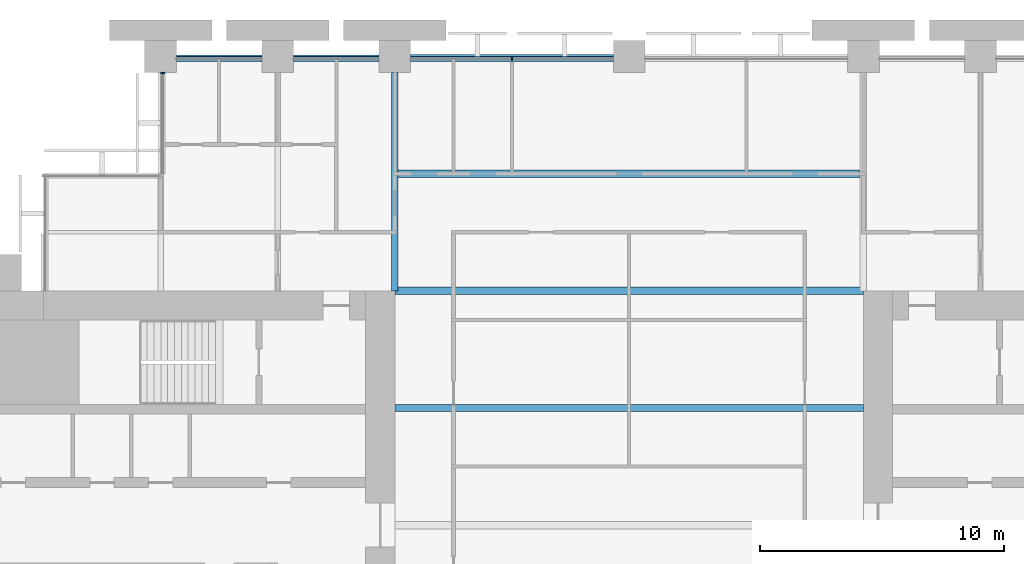
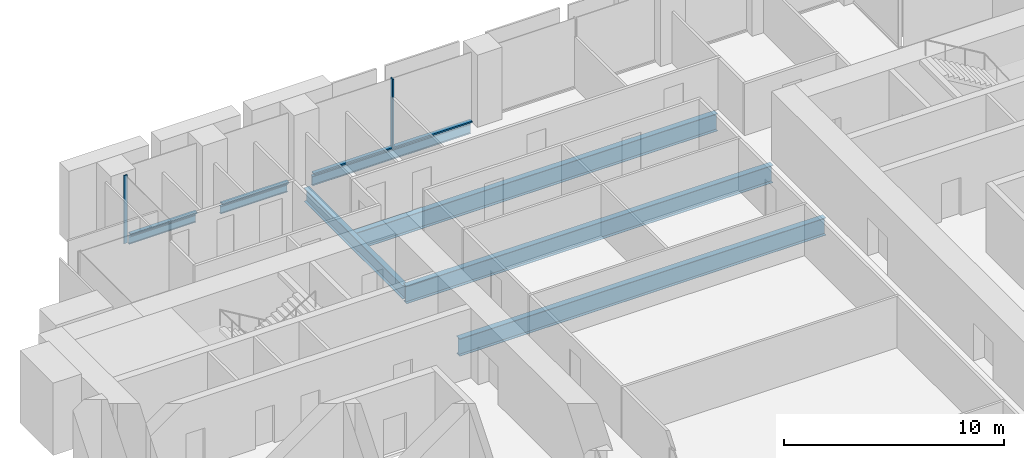
# One storey, part 6 of 14: 7 beams, 5 members, 2 elements without a shape of their own.
"""IFC4 building model written with IfcOpenShell, lengths in metres."""

import ifcopenshell
import ifcopenshell.guid

model = None  # the IFC model being written
_history = None  # IfcOwnerHistory: only IFC2X3 demands one
_inside = {}  # id of a spatial element -> (the spatial element, [elements in it])
_under = {}  # id of a project, library or spatial element -> (it, [spatial elements below it])
_declared = {}  # id of a project -> (the project, [libraries it declares])
_typed = {}  # id of a type object -> (the type object, [elements of that type])
_made_of = {}  # id of a material, layer set ... -> (it, [elements and type objects made of it])


def new_model(schema):
    """Start an empty IFC model of exactly this schema.

    Asked for "IFC4X3", IfcOpenShell would pick the latest addendum, in which some entities
    have other attributes; the version numbers below select the first issue.
    IFC2X3 requires an IfcOwnerHistory on every rooted entity: one is made here for all.
    """
    global model, _history
    if schema == "IFC4X3":
        model = ifcopenshell.file(schema_version=(4, 3, 0, 0))
    else:
        model = ifcopenshell.file(schema=schema)
    _inside.clear()
    _under.clear()
    _declared.clear()
    _typed.clear()
    _made_of.clear()
    _history = None
    if model.schema == "IFC2X3":
        org = make("IfcOrganization", Name="unknown")
        user = make(
            "IfcPersonAndOrganization",
            ThePerson=make("IfcPerson", FamilyName="unknown"),
            TheOrganization=org,
        )
        app = make(
            "IfcApplication",
            ApplicationDeveloper=org,
            Version="unknown",
            ApplicationFullName="unknown",
            ApplicationIdentifier="unknown",
        )
        _history = make(
            "IfcOwnerHistory",
            OwningUser=user,
            OwningApplication=app,
            ChangeAction="ADDED",
            CreationDate=0,
        )
    return model


def make(cls, **values):
    """One entity of the class cls with the attributes given. An attribute that is None is left unset."""
    return model.create_entity(
        cls, **{name: value for name, value in values.items() if value is not None}
    )


def rooted(cls, **values):
    """An entity with a GlobalId (a new one), such as an element, a storey or a relation."""
    return make(cls, GlobalId=ifcopenshell.guid.new(), OwnerHistory=_history, **values)


def si_unit(unit_type, name, prefix=None):
    """IfcSIUnit, for example si_unit("LENGTHUNIT", "METRE", prefix="MILLI")."""
    return make("IfcSIUnit", UnitType=unit_type, Prefix=prefix, Name=name)


def assignment(units):
    """IfcUnitAssignment: the units of a project."""
    return None if units is None else make("IfcUnitAssignment", Units=units)


def point(xyz):
    """IfcCartesianPoint."""
    return None if xyz is None else make("IfcCartesianPoint", Coordinates=xyz)


def direction(xyz):
    """IfcDirection."""
    return None if xyz is None else make("IfcDirection", DirectionRatios=xyz)


def frame(location, z_axis=None, x_axis=None):
    """IfcAxis2Placement3D, a coordinate frame: its origin and axes. An axis left out is left unset."""
    return make(
        "IfcAxis2Placement3D",
        Location=point(location),
        Axis=direction(z_axis),
        RefDirection=direction(x_axis),
    )


def frame_2d(location, x_axis=None):
    """IfcAxis2Placement2D, a coordinate frame in the plane: its origin and x axis."""
    return make(
        "IfcAxis2Placement2D", Location=point(location), RefDirection=direction(x_axis)
    )


def origin():
    """The frame at (0, 0, 0) with its axes left unset."""
    return frame((0.0, 0.0, 0.0))


def origin_2d():
    """The frame at (0, 0) in the plane with its x axis left unset."""
    return frame_2d((0.0, 0.0))


def place(relative_to, where):
    """IfcLocalPlacement: puts the frame where relative to a parent placement (None: the world)."""
    return make(
        "IfcLocalPlacement", PlacementRelTo=relative_to, RelativePlacement=where
    )


def context(
    kind, dimensions, precision=None, world=None, true_north=None, identifier=None
):
    """IfcGeometricRepresentationContext, for example the 3D "Model" context."""
    return make(
        "IfcGeometricRepresentationContext",
        ContextIdentifier=identifier,
        ContextType=kind,
        CoordinateSpaceDimension=dimensions,
        Precision=precision,
        WorldCoordinateSystem=world,
        TrueNorth=true_north,
    )


def subcontext(parent, identifier, kind, view, scale=None):
    """IfcGeometricRepresentationSubContext, for example "Body" below "Model"."""
    return make(
        "IfcGeometricRepresentationSubContext",
        ContextIdentifier=identifier,
        ContextType=kind,
        ParentContext=parent,
        TargetScale=scale,
        TargetView=view,
    )


def project(units=None, contexts=None):
    """IfcProject with its units and contexts."""
    return rooted(
        "IfcProject",
        Name="project",
        RepresentationContexts=contexts,
        UnitsInContext=assignment(units),
    )


def spatial(cls, under=None, at=None, **own):
    """A site, building, storey or space (cls), placed at a placement, below another one or the project."""
    s = rooted(cls, ObjectPlacement=at, **own)
    if under is not None:
        _under.setdefault(under.id(), (under, []))[1].append(s)
    return s


def profile(cls, at=None, kind="AREA", **sizes):
    """A parametric profile (cls). Its sizes go by their IFC names, for example OverallWidth=200.0."""
    return make(cls, ProfileType=kind, Position=at, **sizes)


def rectangle(**sizes):
    """IfcRectangleProfileDef."""
    return profile("IfcRectangleProfileDef", **sizes)


def i_section(**sizes):
    """IfcIShapeProfileDef."""
    return profile("IfcIShapeProfileDef", **sizes)


def extrude(swept, where, along, depth):
    """IfcExtrudedAreaSolid: the profile swept, set in the frame where, extruded along a direction by depth."""
    return make(
        "IfcExtrudedAreaSolid",
        SweptArea=swept,
        Position=where,
        ExtrudedDirection=direction(along),
        Depth=depth,
    )


def shape(context_of_items, identifier, shape_type, items):
    """IfcShapeRepresentation: the items that make up one representation, for example the "Body"."""
    return make(
        "IfcShapeRepresentation",
        ContextOfItems=context_of_items,
        RepresentationIdentifier=identifier,
        RepresentationType=shape_type,
        Items=items,
    )


def material(Name=None, Category=None):
    """IfcMaterial."""
    return make("IfcMaterial", Name=Name, Category=Category)


def material_profile(
    of_material, cross_section, Name=None, Category=None, Priority=None
):
    """IfcMaterialProfile: a cross section and its material."""
    return make(
        "IfcMaterialProfile",
        Name=Name,
        Material=of_material,
        Profile=cross_section,
        Priority=Priority,
        Category=Category,
    )


def profile_set(profiles, Name=None, composite=None):
    """IfcMaterialProfileSet."""
    return make(
        "IfcMaterialProfileSet",
        Name=Name,
        MaterialProfiles=profiles,
        CompositeProfile=composite,
    )


def made_of(thing, what):
    """Note that an element or type object is made of a material, layer set ...; save() writes the relation."""
    if what is not None:
        _made_of.setdefault(what.id(), (what, []))[1].append(thing)
    return thing


def type_object(cls, material=None, **own):
    """A type object (cls), such as IfcWallType, which elements share."""
    return made_of(rooted(cls, **own), material)


def element(
    cls,
    number,
    at=None,
    inside=None,
    cuts=None,
    type_object=None,
    material=None,
    context=None,
    identifier="Body",
    shape_type=None,
    held_by="IfcProductDefinitionShape",
    body=None,
    shapes=None,
    **own,
):
    """One element of the class cls, such as IfcWall. Its Tag is "e" and its number.

    at: its placement. inside: the storey or other place that contains it. cuts: it is an
    opening in that element (IfcRelVoidsElement). A single representation is given by context,
    identifier, shape_type and body (its items); several are given by shapes. held_by: the class
    of the entity that holds the representations. save() writes the other relations.
    """
    e = rooted(cls, Tag="e%d" % number, ObjectPlacement=at, **own)
    if body is not None:
        shapes = [shape(context, identifier, shape_type, body)]
    if shapes is not None:
        e.Representation = make(held_by, Representations=shapes)
    if inside is not None:
        _inside.setdefault(inside.id(), (inside, []))[1].append(e)
    if cuts is not None:
        rooted(
            "IfcRelVoidsElement", RelatingBuildingElement=cuts, RelatedOpeningElement=e
        )
    if type_object is not None:
        _typed.setdefault(type_object.id(), (type_object, []))[1].append(e)
    return made_of(e, material)


def aggregate(whole, parts):
    """IfcRelAggregates: a whole, such as a stair, and the parts it consists of."""
    return rooted("IfcRelAggregates", RelatingObject=whole, RelatedObjects=parts)


def save(model, path):
    """Write the relations noted so far, then the file.

    IfcRelAggregates (storeys below a building ...), IfcRelContainedInSpatialStructure (elements
    in a storey), IfcRelDefinesByType, IfcRelAssociatesMaterial and IfcRelDeclares: one each for
    every whole, place, type object, material and project.
    """
    for whole, parts in _under.values():
        aggregate(whole, parts)
    for where, things in _inside.values():
        rooted(
            "IfcRelContainedInSpatialStructure",
            RelatedElements=things,
            RelatingStructure=where,
        )
    for kind, things in _typed.values():
        rooted("IfcRelDefinesByType", RelatedObjects=things, RelatingType=kind)
    for what, things in _made_of.values():
        rooted("IfcRelAssociatesMaterial", RelatedObjects=things, RelatingMaterial=what)
    for by, libraries in _declared.values():
        rooted("IfcRelDeclares", RelatingContext=by, RelatedDefinitions=libraries)
    model.write(path)


model = new_model("IFC4")

# Units and contexts
model_context = context("Model", 3, precision=1e-05, world=origin(), true_north=direction((0.0, 1.0)))
body_context = subcontext(model_context, "Body", "Model", "MODEL_VIEW")
ifc_project = project(units=[si_unit("LENGTHUNIT", "METRE"), si_unit("AREAUNIT", "SQUARE_METRE"), si_unit("VOLUMEUNIT", "CUBIC_METRE"), si_unit("PLANEANGLEUNIT", "RADIAN"), si_unit("MASSUNIT", "GRAM", prefix="KILO")], contexts=[model_context])

# Site, building, storey
site_placement = place(None, origin())
site = spatial("IfcSite", under=ifc_project, at=site_placement, CompositionType="ELEMENT")
building_placement = place(site_placement, origin())
building = spatial("IfcBuilding", under=site, at=building_placement, Name="Baori Bourse Tower", CompositionType="ELEMENT")
storey_placement = place(building_placement, frame((0.0, 0.0, 67.0)))
storey = spatial("IfcBuildingStorey", under=building, at=storey_placement, Name="L14", CompositionType="ELEMENT", Elevation=67.0)

# Curtain wall, members
ifc_material_1 = material(Name="Pale anodised aluminium", Category="aluminium")
curtain_wall_type_1 = type_object("IfcCurtainWallType", Name="CW1 Curtain wall", PredefinedType="NOTDEFINED", material=ifc_material_1)
curtain_wall_1_placement = place(storey_placement, origin())
curtain_wall_1 = element("IfcCurtainWall", 1, at=curtain_wall_1_placement, inside=storey, type_object=curtain_wall_type_1, Name="Curtain wall CW1 L14 4", PredefinedType="NOTDEFINED")
ifc_material_2 = material(Name="Pale anodised aluminium", Category="aluminium")
ifc_material_profile_1 = material_profile(ifc_material_2, rectangle(XDim=0.199951171875, YDim=0.06005859375, at=origin_2d()), Name="Mullion 60x200")
ifc_profile_set_1 = profile_set([ifc_material_profile_1], Name="Pale anodised aluminium")
member_type_1 = type_object("IfcMemberType", Name="CW1 Curtain wall mullion", PredefinedType="MULLION", material=ifc_profile_set_1)
member_1_placement = place(storey_placement, frame((24.0, 47.89990234375, 0.080078125), z_axis=(0.0, 0.0, 1.0), x_axis=(0.0, -1.0, 0.0)))
member_1 = element("IfcMember", 2, at=member_1_placement, type_object=member_type_1, Name="Curtain wall CW1 mullion", PredefinedType="MULLION", context=body_context, shape_type="SweptSolid", body=[
    extrude(rectangle(XDim=0.199951171875, YDim=0.06005859375, at=origin_2d()), origin(), (0.0, 0.0, 1.0), 3.760009765625),
])
ifc_material_3 = material(Name="Pale anodised aluminium", Category="aluminium")
ifc_material_profile_2 = material_profile(ifc_material_3, rectangle(XDim=0.199951171875, YDim=0.080078125, at=origin_2d()), Name="Transom 80x200")
ifc_profile_set_2 = profile_set([ifc_material_profile_2], Name="Pale anodised aluminium")
member_type_2 = type_object("IfcMemberType", Name="CW1 Curtain wall transom", PredefinedType="USERDEFINED", material=ifc_profile_set_2)
member_2_placement = place(storey_placement, frame((28.14990234375, 47.89990234375, 0.0400390625), z_axis=(-1.0, 0.0, 0.0), x_axis=(0.0, -1.0, 0.0)))
member_2 = element("IfcMember", 3, at=member_2_placement, type_object=member_type_2, Name="Curtain wall CW1 sill rail", ObjectType="TRANSOM", PredefinedType="USERDEFINED", context=body_context, shape_type="SweptSolid", body=[
    extrude(rectangle(XDim=0.199951171875, YDim=0.080078125, at=origin_2d()), origin(), (0.0, 0.0, 1.0), 8.2998046875),
])
member_3_placement = place(storey_placement, frame((18.550048828125, 47.89990234375, 0.0400390625), z_axis=(-1.0, 0.0, 0.0), x_axis=(0.0, -1.0, 0.0)))
member_3 = element("IfcMember", 4, at=member_3_placement, type_object=member_type_2, Name="Curtain wall CW1 sill rail", ObjectType="TRANSOM", PredefinedType="USERDEFINED", context=body_context, shape_type="SweptSolid", body=[
    extrude(rectangle(XDim=0.199951171875, YDim=0.080078125, at=origin_2d()), origin(), (0.0, 0.0, 1.0), 3.5),
])
member_4_placement = place(storey_placement, frame((13.75, 47.89990234375, 0.0400390625), z_axis=(-1.0, 0.0, 0.0), x_axis=(0.0, -1.0, 0.0)))
member_4 = element("IfcMember", 5, at=member_4_placement, type_object=member_type_2, Name="Curtain wall CW1 sill rail", ObjectType="TRANSOM", PredefinedType="USERDEFINED", context=body_context, shape_type="SweptSolid", body=[
    extrude(rectangle(XDim=0.199951171875, YDim=0.080078125, at=origin_2d()), origin(), (0.0, 0.0, 1.0), 3.5),
])
aggregate(curtain_wall_1, [member_2, member_1, member_3, member_4])

# Curtain wall, member
ifc_material_4 = material(Name="Pale anodised aluminium", Category="aluminium")
curtain_wall_type_2 = type_object("IfcCurtainWallType", Name="CW2 Curtain wall", PredefinedType="NOTDEFINED", material=ifc_material_4)
curtain_wall_2_placement = place(storey_placement, origin())
curtain_wall_2 = element("IfcCurtainWall", 6, at=curtain_wall_2_placement, inside=storey, type_object=curtain_wall_type_2, Name="Curtain wall CW2 L14 5", PredefinedType="NOTDEFINED")
ifc_material_5 = material(Name="Pale anodised aluminium", Category="aluminium")
ifc_material_profile_3 = material_profile(ifc_material_5, rectangle(XDim=0.179931640625, YDim=0.054931640625, at=origin_2d()), Name="Mullion 55x180")
ifc_profile_set_3 = profile_set([ifc_material_profile_3], Name="Pale anodised aluminium")
member_type_3 = type_object("IfcMemberType", Name="CW2 Curtain wall mullion", PredefinedType="MULLION", material=ifc_profile_set_3)
member_5_placement = place(storey_placement, frame((9.68994140625, 47.322509765625, 0.070068359375), z_axis=(0.0, 0.0, 1.0), x_axis=(1.0, 0.0, 0.0)))
member_5 = element("IfcMember", 7, at=member_5_placement, type_object=member_type_3, Name="Curtain wall CW2 mullion", PredefinedType="MULLION", context=body_context, shape_type="SweptSolid", body=[
    extrude(rectangle(XDim=0.179931640625, YDim=0.054931640625, at=origin_2d()), origin(), (0.0, 0.0, 1.0), 3.77001953125),
])
aggregate(curtain_wall_2, [member_5])

# Beams
ifc_material_6 = material(Name="Steel A992 Gr 50", Category="steel")
ifc_material_profile_4 = material_profile(ifc_material_6, i_section(OverallWidth=0.140380859375, OverallDepth=0.40380859375, WebThickness=0.007080078125, FlangeThickness=0.01123046875, at=origin_2d()), Name="W16x31")
ifc_profile_set_4 = profile_set([ifc_material_profile_4], Name="Steel A992 Gr 50")
beam_type_1 = type_object("IfcBeamType", Name="Edge beam W16x31", PredefinedType="BEAM", material=ifc_profile_set_4)
for number, where, z_axis, x_axis, name in (
    (8, (10.25, 48.0, -0.36181640625), (1.0, 0.0, 0.0), (0.0, 1.0, 0.0), "Edge beam L14"),
    (9, (15.050048828125, 48.0, -0.36181640625), (1.0, 0.0, 0.0), (0.0, 1.0, 0.0), "Edge beam L14"),
):
    element("IfcBeam", number, at=place(storey_placement, frame(where, z_axis=z_axis, x_axis=x_axis)), inside=storey, type_object=beam_type_1, Name=name, PredefinedType="BEAM", context=body_context, shape_type="SweptSolid", body=[
        extrude(i_section(OverallWidth=0.140380859375, OverallDepth=0.40380859375, WebThickness=0.007080078125, FlangeThickness=0.01123046875, at=origin_2d()), origin(), (0.0, 0.0, 1.0), 3.5),
    ])
ifc_material_7 = material(Name="Steel A992 Gr 50", Category="steel")
ifc_material_profile_5 = material_profile(ifc_material_7, i_section(OverallWidth=0.1650390625, OverallDepth=0.52587890625, WebThickness=0.0087890625, FlangeThickness=0.011474609375, at=origin_2d()), Name="W21x44")
ifc_profile_set_5 = profile_set([ifc_material_profile_5], Name="Steel A992 Gr 50")
beam_type_2 = type_object("IfcBeamType", Name="Edge beam W21x44", PredefinedType="BEAM", material=ifc_profile_set_5)
beam_1_placement = place(storey_placement, frame((19.85009765625, 48.0, -0.4228515625), z_axis=(1.0, 0.0, 0.0), x_axis=(0.0, 1.0, 0.0)))
element("IfcBeam", 10, at=beam_1_placement, inside=storey, type_object=beam_type_2, Name="Edge beam L14", PredefinedType="BEAM", context=body_context, shape_type="SweptSolid", body=[
    extrude(i_section(OverallWidth=0.1650390625, OverallDepth=0.52587890625, WebThickness=0.0087890625, FlangeThickness=0.011474609375, at=origin_2d()), origin(), (0.0, 0.0, 1.0), 8.2998046875),
])
ifc_material_8 = material(Name="Steel A992 Gr 50", Category="steel")
ifc_material_profile_6 = material_profile(ifc_material_8, i_section(OverallWidth=0.2998046875, OverallDepth=0.97021484375, WebThickness=0.01611328125, FlangeThickness=0.02099609375, at=origin_2d()), Name="W40x149")
ifc_profile_set_6 = profile_set([ifc_material_profile_6], Name="Steel A992 Gr 50")
beam_type_3 = type_object("IfcBeamType", Name="Floor beam W40x149", PredefinedType="BEAM", material=ifc_profile_set_6)
for number, where, z_axis, x_axis, name in (
    (11, (19.199951171875, 33.60009765625, -0.64501953125), (1.0, 0.0, 0.0), (0.0, 1.0, 0.0), "Floor beam L14"),
    (12, (19.199951171875, 38.39990234375, -0.64501953125), (1.0, 0.0, 0.0), (0.0, 1.0, 0.0), "Floor beam L14"),
):
    element("IfcBeam", number, at=place(storey_placement, frame(where, z_axis=z_axis, x_axis=x_axis)), inside=storey, type_object=beam_type_3, Name=name, PredefinedType="BEAM", context=body_context, shape_type="SweptSolid", body=[
        extrude(i_section(OverallWidth=0.2998046875, OverallDepth=0.97021484375, WebThickness=0.01611328125, FlangeThickness=0.02099609375, at=origin_2d()), origin(), (0.0, 0.0, 1.0), 19.199951171875),
    ])
beam_2_placement = place(storey_placement, frame((19.333251953125, 43.199951171875, -0.64501953125), z_axis=(1.0, 0.0, 0.0), x_axis=(0.0, 1.0, 0.0)))
element("IfcBeam", 13, at=beam_2_placement, inside=storey, type_object=beam_type_3, Name="Floor beam L14", PredefinedType="BEAM", context=body_context, shape_type="SweptSolid", body=[
    extrude(i_section(OverallWidth=0.2998046875, OverallDepth=0.97021484375, WebThickness=0.01611328125, FlangeThickness=0.02099609375, at=origin_2d()), origin(), (0.0, 0.0, 1.0), 18.933349609375),
])
ifc_material_9 = material(Name="Steel A992 Gr 50", Category="steel")
ifc_material_profile_7 = material_profile(ifc_material_9, i_section(OverallWidth=0.2666015625, OverallDepth=0.7568359375, WebThickness=0.013916015625, FlangeThickness=0.019287109375, at=origin_2d()), Name="W30x108")
ifc_profile_set_7 = profile_set([ifc_material_profile_7], Name="Steel A992 Gr 50")
beam_type_4 = type_object("IfcBeamType", Name="Girder W30x108", PredefinedType="BEAM", material=ifc_profile_set_7)
beam_3_placement = place(storey_placement, frame((19.199951171875, 38.39990234375, -0.53857421875), z_axis=(0.0, 1.0, 0.0), x_axis=(-1.0, 0.0, 0.0)))
element("IfcBeam", 14, at=beam_3_placement, inside=storey, type_object=beam_type_4, Name="Girder L14", PredefinedType="BEAM", context=body_context, shape_type="SweptSolid", body=[
    extrude(i_section(OverallWidth=0.2666015625, OverallDepth=0.7568359375, WebThickness=0.013916015625, FlangeThickness=0.019287109375, at=origin_2d()), origin(), (0.0, 0.0, 1.0), 8.9501953125),
])

save(model, "model.ifc")
